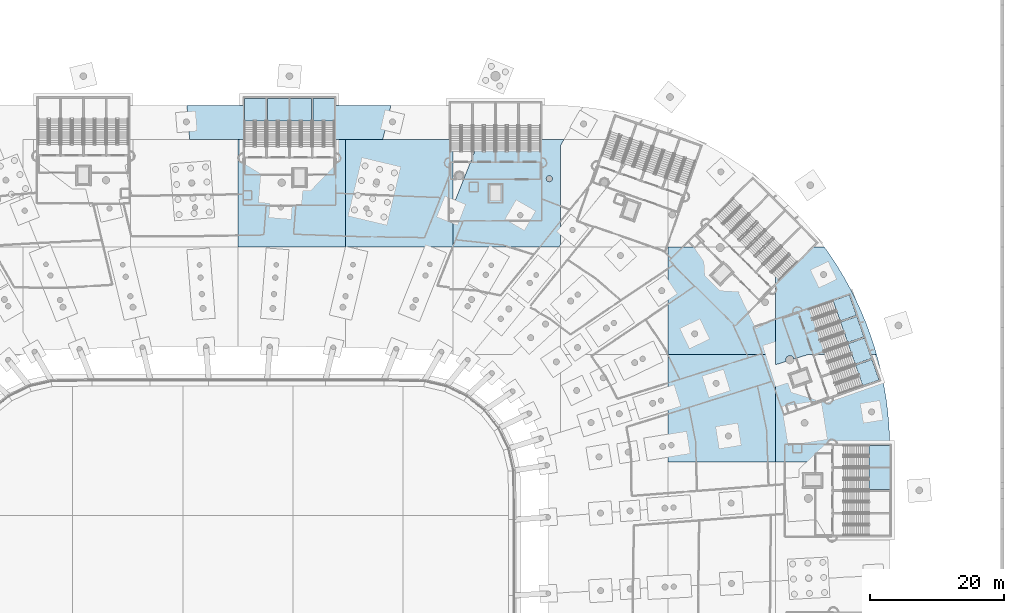
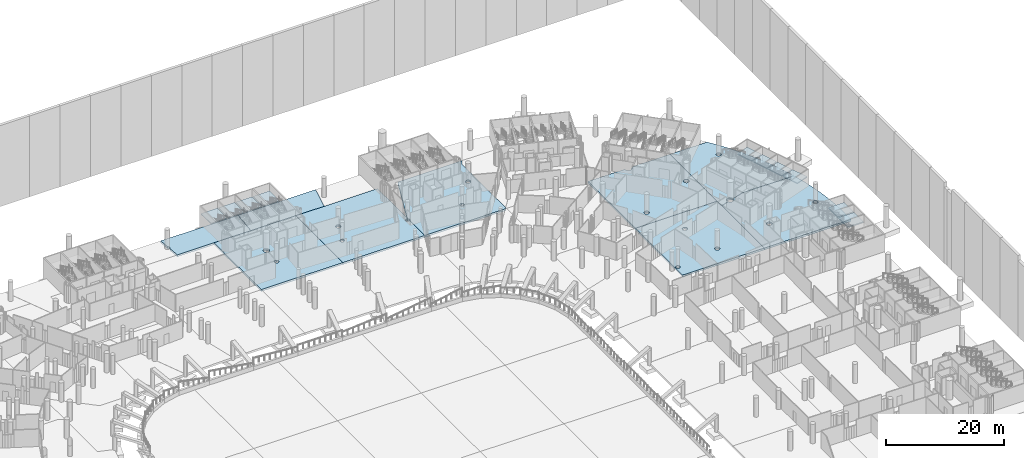
# One storey, part 33 of 142: 19 slabs, 10 elements without a shape of their own.
"""IFC4 building model written with IfcOpenShell, lengths in metres."""

from ifc_helpers import new_model, si_unit, direction, frame, origin, place, context, subcontext, project, spatial, polyline, outline, extrude, material, layer, layer_set, type_object, element, aggregate, save


model = new_model("IFC4")

# Units and contexts
model_context = context("Model", 3, precision=1e-05, world=origin(), true_north=direction((0.0, 1.0)))
body_context = subcontext(model_context, "Body", "Model", "MODEL_VIEW")
ifc_project = project(units=[si_unit("LENGTHUNIT", "METRE"), si_unit("AREAUNIT", "SQUARE_METRE"), si_unit("VOLUMEUNIT", "CUBIC_METRE"), si_unit("PLANEANGLEUNIT", "RADIAN"), si_unit("MASSUNIT", "GRAM", prefix="KILO")], contexts=[model_context])

# Site, building, storey
site_placement = place(None, origin())
site = spatial("IfcSite", under=ifc_project, at=site_placement, CompositionType="ELEMENT")
building_placement = place(site_placement, origin())
building = spatial("IfcBuilding", under=site, at=building_placement, Name="Meseta Stadium", CompositionType="ELEMENT")
storey_placement = place(building_placement, frame((0.0, 0.0, -4.0)))
storey = spatial("IfcBuildingStorey", under=building, at=storey_placement, Name="B1", CompositionType="ELEMENT", Elevation=-4.0)

# Slabs
ifc_material_1 = material(Name="Concrete C30/37", Category="concrete")
ifc_layer_1 = layer(ifc_material_1, 0.39990234375)
ifc_layer_set_1 = layer_set([ifc_layer_1], Name="Base slab 400")
slab_type_1 = type_object("IfcSlabType", Name="Base slab 400", PredefinedType="BASESLAB", material=ifc_layer_set_1)
slab_1_placement = place(storey_placement, frame((0.0, 0.0, -0.39990234375)))
element("IfcSlab", 1, at=slab_1_placement, inside=storey, type_object=slab_type_1, Name="Base slab B1 sector 07 panel 10", PredefinedType="BASESLAB", context=body_context, shape_type="SweptSolid", body=[
    extrude(outline(polyline([(71.4404296875, 79.3876953125), (71.34912109375, 79.462646484375), (71.274169921875, 79.553955078125), (71.218505859375, 79.658203125), (71.18408203125, 79.771240234375), (71.172607421875, 79.888916015625), (71.18359375, 80.0), (64.0, 80.0), (64.0, 64.0), (80.0, 64.0), (80.0, 80.0), (72.741455078125, 80.0), (72.357421875, 79.74072265625), (72.33251953125, 79.658203125), (72.276611328125, 79.553955078125), (72.20166015625, 79.462646484375), (72.1103515625, 79.3876953125), (72.006103515625, 79.331787109375), (71.89306640625, 79.297607421875), (71.775390625, 79.285888671875), (71.65771484375, 79.297607421875), (71.544677734375, 79.331787109375), (71.4404296875, 79.3876953125)]), holes=[polyline([(78.54345703125, 72.248779296875), (78.6376953125, 72.22021484375), (78.724609375, 72.173583984375), (78.80078125, 72.111083984375), (78.86328125, 72.03515625), (78.90966796875, 71.9482421875), (78.938232421875, 71.85400390625), (78.94775390625, 71.756103515625), (78.938232421875, 71.657958984375), (78.90966796875, 71.563720703125), (78.86328125, 71.476806640625), (78.80078125, 71.400634765625), (78.724609375, 71.338134765625), (78.6376953125, 71.291748046875), (78.54345703125, 71.26318359375), (78.4453125, 71.253662109375), (78.347412109375, 71.26318359375), (78.253173828125, 71.291748046875), (78.166259765625, 71.338134765625), (78.090087890625, 71.400634765625), (78.027587890625, 71.476806640625), (77.981201171875, 71.563720703125), (77.95263671875, 71.657958984375), (77.943115234375, 71.756103515625), (77.95263671875, 71.85400390625), (77.981201171875, 71.9482421875), (78.027587890625, 72.03515625), (78.090087890625, 72.111083984375), (78.166259765625, 72.173583984375), (78.253173828125, 72.22021484375), (78.347412109375, 72.248779296875), (78.4453125, 72.25830078125), (78.54345703125, 72.248779296875)]), polyline([(68.292236328125, 67.377685546875), (68.348388671875, 67.30908203125), (68.39013671875, 67.23095703125), (68.416015625, 67.14599609375), (68.424560546875, 67.057861328125), (68.416015625, 66.969482421875), (68.39013671875, 66.884765625), (68.348388671875, 66.806640625), (68.292236328125, 66.738037109375), (68.2236328125, 66.681884765625), (68.1455078125, 66.64013671875), (68.060546875, 66.614501953125), (67.972412109375, 66.605712890625), (67.88427734375, 66.614501953125), (67.79931640625, 66.64013671875), (67.72119140625, 66.681884765625), (67.652587890625, 66.738037109375), (67.596435546875, 66.806640625), (67.5546875, 66.884765625), (67.52880859375, 66.969482421875), (67.520263671875, 67.057861328125), (67.52880859375, 67.14599609375), (67.5546875, 67.23095703125), (67.596435546875, 67.30908203125), (67.652587890625, 67.377685546875), (67.72119140625, 67.433837890625), (67.79931640625, 67.4755859375), (67.88427734375, 67.501220703125), (67.972412109375, 67.510009765625), (68.060546875, 67.501220703125), (68.1455078125, 67.4755859375), (68.2236328125, 67.433837890625), (68.292236328125, 67.377685546875)])]), origin(), (0.0, 0.0, 1.0), 0.39990234375),
])
slab_2_placement = place(storey_placement, frame((0.0, 0.0, -0.39990234375)))
element("IfcSlab", 2, at=slab_2_placement, inside=storey, type_object=slab_type_1, Name="Base slab B1 sector 07 panel 11", PredefinedType="BASESLAB", context=body_context, shape_type="SweptSolid", body=[
    extrude(outline(polyline([(80.0, 48.0), (80.0, 64.0), (64.0, 64.0), (64.0, 48.0), (80.0, 48.0)]), holes=[polyline([(73.409912109375, 52.020263671875), (73.435791015625, 51.935302734375), (73.4443359375, 51.84716796875), (73.435791015625, 51.759033203125), (73.409912109375, 51.674072265625), (73.3681640625, 51.595947265625), (73.31201171875, 51.52734375), (73.243408203125, 51.47119140625), (73.165283203125, 51.429443359375), (73.080322265625, 51.40380859375), (72.9921875, 51.39501953125), (72.904052734375, 51.40380859375), (72.819091796875, 51.429443359375), (72.740966796875, 51.47119140625), (72.672607421875, 51.52734375), (72.6162109375, 51.595947265625), (72.574462890625, 51.674072265625), (72.548583984375, 51.759033203125), (72.5400390625, 51.84716796875), (72.548583984375, 51.935302734375), (72.574462890625, 52.020263671875), (72.6162109375, 52.098388671875), (72.672607421875, 52.1669921875), (72.740966796875, 52.22314453125), (72.819091796875, 52.264892578125), (72.904052734375, 52.290771484375), (72.9921875, 52.29931640625), (73.080322265625, 52.290771484375), (73.165283203125, 52.264892578125), (73.243408203125, 52.22314453125), (73.31201171875, 52.1669921875), (73.3681640625, 52.098388671875), (73.409912109375, 52.020263671875)]), polyline([(64.873046875, 50.633544921875), (64.895751953125, 50.55810546875), (64.903564453125, 50.479736328125), (64.895751953125, 50.4013671875), (64.873046875, 50.325927734375), (64.835693359375, 50.25634765625), (64.785888671875, 50.195556640625), (64.724853515625, 50.1455078125), (64.655517578125, 50.1083984375), (64.580078125, 50.08544921875), (64.501708984375, 50.077880859375), (64.423095703125, 50.08544921875), (64.347900390625, 50.1083984375), (64.2783203125, 50.1455078125), (64.21728515625, 50.195556640625), (64.16748046875, 50.25634765625), (64.13037109375, 50.325927734375), (64.107421875, 50.4013671875), (64.099609375, 50.479736328125), (64.107421875, 50.55810546875), (64.13037109375, 50.633544921875), (64.16748046875, 50.702880859375), (64.21728515625, 50.763916015625), (64.2783203125, 50.81396484375), (64.347900390625, 50.85107421875), (64.423095703125, 50.873779296875), (64.501708984375, 50.881591796875), (64.580078125, 50.873779296875), (64.655517578125, 50.85107421875), (64.724853515625, 50.81396484375), (64.785888671875, 50.763916015625), (64.835693359375, 50.702880859375), (64.873046875, 50.633544921875)]), polyline([(71.2578125, 60.120849609375), (71.3427734375, 60.094970703125), (71.4208984375, 60.05322265625), (71.489501953125, 59.9970703125), (71.545654296875, 59.928466796875), (71.58740234375, 59.850341796875), (71.61328125, 59.765380859375), (71.621826171875, 59.67724609375), (71.61328125, 59.589111328125), (71.58740234375, 59.504150390625), (71.545654296875, 59.426025390625), (71.489501953125, 59.357421875), (71.4208984375, 59.30126953125), (71.3427734375, 59.259521484375), (71.2578125, 59.23388671875), (71.169677734375, 59.22509765625), (71.08154296875, 59.23388671875), (70.99658203125, 59.259521484375), (70.91845703125, 59.30126953125), (70.85009765625, 59.357421875), (70.793701171875, 59.426025390625), (70.751953125, 59.504150390625), (70.726318359375, 59.589111328125), (70.717529296875, 59.67724609375), (70.726318359375, 59.765380859375), (70.751953125, 59.850341796875), (70.793701171875, 59.928466796875), (70.85009765625, 59.9970703125), (70.91845703125, 60.05322265625), (70.99658203125, 60.094970703125), (71.08154296875, 60.120849609375), (71.169677734375, 60.12939453125), (71.2578125, 60.120849609375)])]), origin(), (0.0, 0.0, 1.0), 0.39990234375),
])
slab_3_placement = place(storey_placement, frame((0.0, 0.0, -0.39990234375)))
element("IfcSlab", 3, at=slab_3_placement, inside=storey, type_object=slab_type_1, Name="Base slab B1 sector 07 panel 13", PredefinedType="BASESLAB", context=body_context, shape_type="SweptSolid", body=[
    extrude(outline(polyline([(82.119873046875, 63.794189453125), (82.2373046875, 63.782470703125), (82.3505859375, 63.748291015625), (82.454833984375, 63.6923828125), (82.546142578125, 63.617431640625), (82.62109375, 63.526123046875), (82.6767578125, 63.421875), (82.711181640625, 63.308837890625), (82.71240234375, 63.296142578125), (84.95703125, 64.0), (95.03173828125, 64.0), (94.728759765625, 65.051025390625), (94.127685546875, 66.875244140625), (93.458740234375, 68.67578125), (92.722412109375, 70.44970703125), (91.920166015625, 72.19482421875), (91.052978515625, 73.908447265625), (90.121826171875, 75.58837890625), (89.12841796875, 77.232421875), (88.073974609375, 78.837646484375), (87.246337890625, 80.0), (80.0, 80.0), (80.0, 62.44580078125), (81.57421875, 62.939453125), (81.562744140625, 62.96044921875), (81.528564453125, 63.073486328125), (81.516845703125, 63.191162109375), (81.528564453125, 63.308837890625), (81.562744140625, 63.421875), (81.618408203125, 63.526123046875), (81.693603515625, 63.617431640625), (81.784912109375, 63.6923828125), (81.88916015625, 63.748291015625), (82.002197265625, 63.782470703125), (82.119873046875, 63.794189453125)]), holes=[polyline([(86.707275390625, 75.945068359375), (86.73291015625, 76.02978515625), (86.77490234375, 76.10791015625), (86.8310546875, 76.176513671875), (86.899658203125, 76.232666015625), (86.977783203125, 76.2744140625), (87.0625, 76.30029296875), (87.15087890625, 76.308837890625), (87.239013671875, 76.30029296875), (87.32373046875, 76.2744140625), (87.402099609375, 76.232666015625), (87.470458984375, 76.176513671875), (87.52685546875, 76.10791015625), (87.568603515625, 76.02978515625), (87.59423828125, 75.945068359375), (87.60302734375, 75.856689453125), (87.59423828125, 75.7685546875), (87.568603515625, 75.68359375), (87.52685546875, 75.60546875), (87.470458984375, 75.537109375), (87.402099609375, 75.480712890625), (87.32373046875, 75.43896484375), (87.239013671875, 75.413330078125), (87.15087890625, 75.404541015625), (87.0625, 75.413330078125), (86.977783203125, 75.43896484375), (86.899658203125, 75.480712890625), (86.8310546875, 75.537109375), (86.77490234375, 75.60546875), (86.73291015625, 75.68359375), (86.707275390625, 75.7685546875), (86.698486328125, 75.856689453125), (86.707275390625, 75.945068359375)])]), origin(), (0.0, 0.0, 1.0), 0.39990234375),
])
slab_4_placement = place(storey_placement, frame((0.0, 0.0, -0.39990234375)))
element("IfcSlab", 4, at=slab_4_placement, inside=storey, type_object=slab_type_1, Name="Base slab B1 sector 07 panel 14", PredefinedType="BASESLAB", context=body_context, shape_type="SweptSolid", body=[
    extrude(outline(polyline([(81.618408203125, 62.856201171875), (81.57421875, 62.939453125), (80.0, 62.44580078125), (80.0, 48.0), (97.00341796875, 48.0), (97.00390625, 49.91259765625), (96.969970703125, 51.8330078125), (96.86376953125, 53.750732421875), (96.685791015625, 55.6630859375), (96.43603515625, 57.5673828125), (96.114990234375, 59.461181640625), (95.722900390625, 61.34130859375), (95.2607421875, 63.20556640625), (95.03173828125, 64.0), (84.956787109375, 64.0), (82.71240234375, 63.296142578125), (82.72265625, 63.191162109375), (82.711181640625, 63.073486328125), (82.6767578125, 62.96044921875), (82.62109375, 62.856201171875), (82.546142578125, 62.764892578125), (82.454833984375, 62.68994140625), (82.3505859375, 62.63427734375), (82.2373046875, 62.599853515625), (82.119873046875, 62.58837890625), (82.002197265625, 62.599853515625), (81.88916015625, 62.63427734375), (81.784912109375, 62.68994140625), (81.693603515625, 62.764892578125), (81.618408203125, 62.856201171875)]), holes=[polyline([(94.545654296875, 55.8173828125), (94.6142578125, 55.76123046875), (94.67041015625, 55.692626953125), (94.712158203125, 55.614501953125), (94.73779296875, 55.52978515625), (94.74658203125, 55.44140625), (94.73681640625, 55.34912109375), (94.712158203125, 55.268310546875), (94.67041015625, 55.190185546875), (94.6142578125, 55.12158203125), (94.545654296875, 55.0654296875), (94.467529296875, 55.023681640625), (94.382568359375, 54.998046875), (94.29443359375, 54.9892578125), (94.206298828125, 54.998046875), (94.121337890625, 55.023681640625), (94.043212890625, 55.0654296875), (93.974609375, 55.12158203125), (93.91845703125, 55.190185546875), (93.876708984375, 55.268310546875), (93.850830078125, 55.353271484375), (93.84228515625, 55.44140625), (93.850830078125, 55.52978515625), (93.876708984375, 55.614501953125), (93.91845703125, 55.692626953125), (93.974609375, 55.76123046875), (94.043212890625, 55.8173828125), (94.121337890625, 55.859130859375), (94.206298828125, 55.885009765625), (94.29443359375, 55.893798828125), (94.382568359375, 55.885009765625), (94.467529296875, 55.859130859375), (94.545654296875, 55.8173828125)]), polyline([(84.604248046875, 54.21923828125), (84.680419921875, 54.15673828125), (84.742919921875, 54.080810546875), (84.789306640625, 53.993896484375), (84.818115234375, 53.899658203125), (84.82763671875, 53.801513671875), (84.818115234375, 53.70361328125), (84.789306640625, 53.609375), (84.742919921875, 53.5224609375), (84.680419921875, 53.4462890625), (84.604248046875, 53.3837890625), (84.517578125, 53.33740234375), (84.423095703125, 53.308837890625), (84.3251953125, 53.299072265625), (84.227294921875, 53.308837890625), (84.1328125, 53.33740234375), (84.046142578125, 53.3837890625), (83.969970703125, 53.4462890625), (83.907470703125, 53.5224609375), (83.861083984375, 53.609375), (83.83251953125, 53.70361328125), (83.82275390625, 53.801513671875), (83.83251953125, 53.899658203125), (83.861083984375, 53.993896484375), (83.907470703125, 54.080810546875), (83.969970703125, 54.15673828125), (84.046142578125, 54.21923828125), (84.1328125, 54.265625), (84.227294921875, 54.294189453125), (84.3251953125, 54.303955078125), (84.423095703125, 54.294189453125), (84.517578125, 54.265625), (84.604248046875, 54.21923828125)])]), origin(), (0.0, 0.0, 1.0), 0.39990234375),
])
slab_5_placement = place(storey_placement, frame((0.0, 0.0, -0.39990234375)))
element("IfcSlab", 5, at=slab_5_placement, inside=storey, type_object=slab_type_1, Name="Base slab B1 sector 14 panel 07", PredefinedType="BASESLAB", context=body_context, shape_type="SweptSolid", body=[
    extrude(outline(polyline([(-7.3701171875, 98.261474609375), (-7.1904296875, 96.0), (7.1904296875, 96.0), (7.58740234375, 101.003173828125), (0.0, 101.0), (-7.58740234375, 101.003173828125), (-7.42724609375, 98.982177734375), (-7.41552734375, 98.97607421875), (-7.346923828125, 98.919677734375), (-7.290771484375, 98.851318359375), (-7.248779296875, 98.77294921875), (-7.22314453125, 98.688232421875), (-7.214599609375, 98.60009765625), (-7.22314453125, 98.51171875), (-7.248779296875, 98.427001953125), (-7.290771484375, 98.348876953125), (-7.346923828125, 98.2802734375), (-7.3701171875, 98.261474609375)])), origin(), (0.0, 0.0, 1.0), 0.39990234375),
])
slab_6_placement = place(storey_placement, frame((0.0, 0.0, -0.39990234375)))
element("IfcSlab", 6, at=slab_6_placement, inside=storey, type_object=slab_type_1, Name="Base slab B1 sector 14 panel 08", PredefinedType="BASESLAB", context=body_context, shape_type="SweptSolid", body=[
    extrude(outline(polyline([(0.0, 96.0), (0.0, 80.0), (16.0, 80.0), (16.0, 96.0), (0.0, 96.0)]), holes=[polyline([(6.163818359375, 86.2109375), (6.233154296875, 86.248046875), (6.30859375, 86.27099609375), (6.386962890625, 86.27880859375), (6.465576171875, 86.27099609375), (6.541015625, 86.248046875), (6.6103515625, 86.2109375), (6.67138671875, 86.160888671875), (6.72119140625, 86.10009765625), (6.75830078125, 86.030517578125), (6.78125, 85.955078125), (6.7890625, 85.876708984375), (6.78125, 85.79833984375), (6.75830078125, 85.722900390625), (6.72119140625, 85.6533203125), (6.67138671875, 85.592529296875), (6.6103515625, 85.54248046875), (6.541015625, 85.50537109375), (6.465576171875, 85.482421875), (6.386962890625, 85.474853515625), (6.30859375, 85.482421875), (6.233154296875, 85.50537109375), (6.163818359375, 85.54248046875), (6.102783203125, 85.592529296875), (6.052734375, 85.6533203125), (6.015625, 85.722900390625), (5.992919921875, 85.79833984375), (5.985107421875, 85.876708984375), (5.992919921875, 85.955078125), (6.015625, 86.030517578125), (6.052734375, 86.10009765625), (6.102783203125, 86.160888671875), (6.163818359375, 86.2109375)]), polyline([(6.51708984375, 90.09912109375), (6.624755859375, 90.08837890625), (6.728515625, 90.056884765625), (6.823974609375, 90.005859375), (6.90771484375, 89.937255859375), (6.9765625, 89.853515625), (7.027587890625, 89.7578125), (7.05908203125, 89.654296875), (7.069580078125, 89.54638671875), (7.05908203125, 89.438720703125), (7.027587890625, 89.3349609375), (6.9765625, 89.239501953125), (6.90771484375, 89.155517578125), (6.823974609375, 89.0869140625), (6.728515625, 89.035888671875), (6.624755859375, 89.00439453125), (6.51708984375, 88.993896484375), (6.4091796875, 89.00439453125), (6.305419921875, 89.035888671875), (6.2099609375, 89.0869140625), (6.126220703125, 89.155517578125), (6.0576171875, 89.239501953125), (6.00634765625, 89.3349609375), (5.974853515625, 89.438720703125), (5.96435546875, 89.54638671875), (5.974853515625, 89.654296875), (6.00634765625, 89.7578125), (6.0576171875, 89.853515625), (6.126220703125, 89.937255859375), (6.2099609375, 90.005859375), (6.305419921875, 90.056884765625), (6.4091796875, 90.08837890625), (6.51708984375, 90.09912109375)])]), origin(), (0.0, 0.0, 1.0), 0.39990234375),
])
slab_7_placement = place(storey_placement, frame((0.0, 0.0, -0.39990234375)))
element("IfcSlab", 7, at=slab_7_placement, inside=storey, type_object=slab_type_1, Name="Base slab B1 sector 14 panel 10", PredefinedType="BASESLAB", context=body_context, shape_type="SweptSolid", body=[
    extrude(outline(polyline([(22.768310546875, 101.027099609375), (16.0, 101.013916015625), (12.646484375, 101.008544921875), (7.587646484375, 101.003173828125), (7.1904296875, 96.0), (21.5712890625, 96.0), (22.768310546875, 101.027099609375)])), origin(), (0.0, 0.0, 1.0), 0.39990234375),
])
slab_8_placement = place(storey_placement, frame((0.0, 0.0, -0.39990234375)))
element("IfcSlab", 8, at=slab_8_placement, inside=storey, type_object=slab_type_1, Name="Base slab B1 sector 14 panel 11", PredefinedType="BASESLAB", context=body_context, shape_type="SweptSolid", body=[
    extrude(outline(polyline([(31.890625, 85.748291015625), (31.960205078125, 85.7109375), (32.0, 85.67822265625), (32.0, 96.0), (16.0, 96.0), (16.0, 80.0), (32.0, 80.0), (32.0, 85.075439453125), (31.960205078125, 85.04248046875), (31.890625, 85.005615234375), (31.815185546875, 84.982666015625), (31.73681640625, 84.974853515625), (31.658447265625, 84.982666015625), (31.5830078125, 85.005615234375), (31.513427734375, 85.04248046875), (31.45263671875, 85.092529296875), (31.402587890625, 85.153564453125), (31.365478515625, 85.222900390625), (31.342529296875, 85.29833984375), (31.3349609375, 85.376708984375), (31.342529296875, 85.455078125), (31.365478515625, 85.530517578125), (31.402587890625, 85.60009765625), (31.45263671875, 85.660888671875), (31.513427734375, 85.7109375), (31.5830078125, 85.748291015625), (31.658447265625, 85.77099609375), (31.73681640625, 85.77880859375), (31.815185546875, 85.77099609375), (31.890625, 85.748291015625)]), holes=[polyline([(18.747314453125, 85.85205078125), (18.784423828125, 85.92138671875), (18.83447265625, 85.982421875), (18.895263671875, 86.032470703125), (18.96484375, 86.069580078125), (19.040283203125, 86.09228515625), (19.11865234375, 86.10009765625), (19.197021484375, 86.09228515625), (19.2724609375, 86.069580078125), (19.341796875, 86.032470703125), (19.40283203125, 85.982421875), (19.452880859375, 85.92138671875), (19.489990234375, 85.85205078125), (19.5126953125, 85.776611328125), (19.5205078125, 85.6982421875), (19.5126953125, 85.619873046875), (19.489990234375, 85.54443359375), (19.452880859375, 85.474853515625), (19.40283203125, 85.4140625), (19.341796875, 85.364013671875), (19.2724609375, 85.326904296875), (19.197021484375, 85.303955078125), (19.11865234375, 85.29638671875), (19.040283203125, 85.303955078125), (18.96484375, 85.326904296875), (18.895263671875, 85.364013671875), (18.83447265625, 85.4140625), (18.784423828125, 85.474853515625), (18.747314453125, 85.54443359375), (18.724365234375, 85.619873046875), (18.716796875, 85.6982421875), (18.724365234375, 85.776611328125), (18.747314453125, 85.85205078125)]), polyline([(21.101806640625, 89.65625), (21.093017578125, 89.568115234375), (21.0673828125, 89.483154296875), (21.025390625, 89.405029296875), (20.96923828125, 89.336669921875), (20.90087890625, 89.2802734375), (20.822509765625, 89.238525390625), (20.73779296875, 89.212890625), (20.649658203125, 89.2041015625), (20.561279296875, 89.212890625), (20.4765625, 89.238525390625), (20.398193359375, 89.2802734375), (20.329833984375, 89.336669921875), (20.273681640625, 89.405029296875), (20.231689453125, 89.483154296875), (20.2060546875, 89.568115234375), (20.197509765625, 89.65625), (20.2060546875, 89.744384765625), (20.231689453125, 89.829345703125), (20.273681640625, 89.907470703125), (20.329833984375, 89.97607421875), (20.398193359375, 90.0322265625), (20.4765625, 90.073974609375), (20.561279296875, 90.099853515625), (20.649658203125, 90.1083984375), (20.73779296875, 90.099853515625), (20.822509765625, 90.073974609375), (20.90087890625, 90.0322265625), (20.96923828125, 89.97607421875), (21.025390625, 89.907470703125), (21.0673828125, 89.829345703125), (21.093017578125, 89.744384765625), (21.101806640625, 89.65625)])]), origin(), (0.0, 0.0, 1.0), 0.39990234375),
])
slab_9_placement = place(storey_placement, frame((0.0, 0.0, -0.39990234375)))
element("IfcSlab", 9, at=slab_9_placement, inside=storey, type_object=slab_type_1, Name="Base slab B1 sector 14 panel 15", PredefinedType="BASESLAB", context=body_context, shape_type="SweptSolid", body=[
    extrude(outline(polyline([(32.071044921875, 85.153564453125), (32.02099609375, 85.092529296875), (32.0, 85.075439453125), (32.0, 80.0), (47.76171875, 80.0), (48.0, 80.29541015625), (48.0, 95.060546875), (48.54296875, 96.0), (35.952392578125, 96.0), (32.0, 86.0400390625), (32.0, 85.67822265625), (32.02099609375, 85.660888671875), (32.071044921875, 85.60009765625), (32.108154296875, 85.530517578125), (32.131103515625, 85.455078125), (32.138916015625, 85.376708984375), (32.131103515625, 85.29833984375), (32.108154296875, 85.222900390625), (32.071044921875, 85.153564453125)]), holes=[polyline([(41.792236328125, 85.04150390625), (41.86181640625, 85.07861328125), (41.93701171875, 85.1015625), (42.015380859375, 85.109375), (42.093994140625, 85.1015625), (42.169189453125, 85.07861328125), (42.23876953125, 85.04150390625), (42.2998046875, 84.99169921875), (42.349609375, 84.9306640625), (42.386962890625, 84.861083984375), (42.40966796875, 84.785888671875), (42.41748046875, 84.707275390625), (42.40966796875, 84.62890625), (42.386962890625, 84.553466796875), (42.349609375, 84.48388671875), (42.2998046875, 84.423095703125), (42.23876953125, 84.373046875), (42.169189453125, 84.3359375), (42.093994140625, 84.31298828125), (42.015380859375, 84.305419921875), (41.93701171875, 84.31298828125), (41.86181640625, 84.3359375), (41.792236328125, 84.373046875), (41.731201171875, 84.423095703125), (41.681396484375, 84.48388671875), (41.644287109375, 84.553466796875), (41.621337890625, 84.62890625), (41.613525390625, 84.707275390625), (41.621337890625, 84.785888671875), (41.644287109375, 84.861083984375), (41.681396484375, 84.9306640625), (41.731201171875, 84.99169921875), (41.792236328125, 85.04150390625)]), polyline([(46.7509765625, 89.953125), (46.708984375, 89.875), (46.65283203125, 89.806396484375), (46.58447265625, 89.750244140625), (46.506103515625, 89.70849609375), (46.42138671875, 89.6826171875), (46.333251953125, 89.674072265625), (46.244873046875, 89.6826171875), (46.16015625, 89.70849609375), (46.081787109375, 89.750244140625), (46.013427734375, 89.806396484375), (45.957275390625, 89.875), (45.915283203125, 89.953125), (45.8896484375, 90.0380859375), (45.881103515625, 90.126220703125), (45.8896484375, 90.214599609375), (45.915283203125, 90.29931640625), (45.957275390625, 90.37744140625), (46.013427734375, 90.446044921875), (46.081787109375, 90.502197265625), (46.16015625, 90.5439453125), (46.244873046875, 90.569580078125), (46.333251953125, 90.578369140625), (46.42138671875, 90.569580078125), (46.506103515625, 90.5439453125), (46.58447265625, 90.502197265625), (46.65283203125, 90.446044921875), (46.708984375, 90.37744140625), (46.7509765625, 90.29931640625), (46.776611328125, 90.214599609375), (46.785400390625, 90.126220703125), (46.776611328125, 90.0380859375), (46.7509765625, 89.953125)])]), origin(), (0.0, 0.0, 1.0), 0.39990234375),
])

# Stair, slab
ifc_material_2 = material(Name="Concrete C40/50", Category="concrete")
stair_type = type_object("IfcStairType", Name="Exit stair 2 flights 154 mm risers", PredefinedType="HALF_TURN_STAIR", material=ifc_material_2)
stair_1_placement = place(storey_placement, origin())
stair_1 = element("IfcStair", 10, at=stair_1_placement, inside=storey, type_object=stair_type, Name="ST19 B1", PredefinedType="HALF_TURN_STAIR")
ifc_material_3 = material(Name="Concrete C40/50", Category="concrete")
ifc_layer_2 = layer(ifc_material_3, 0.199951171875)
ifc_layer_set_2 = layer_set([ifc_layer_2], Name="Stair landing 200")
slab_type_2 = type_object("IfcSlabType", Name="Stair landing 200", PredefinedType="LANDING", material=ifc_layer_set_2)
slab_10_placement = place(storey_placement, frame((0.0, 0.0, 1.800048828125)))
slab_10 = element("IfcSlab", 11, at=slab_10_placement, type_object=slab_type_2, Name="ST19 B1 landing 1", PredefinedType="LANDING", context=body_context, shape_type="SweptSolid", body=[
    extrude(outline(polyline([(93.929931640625, 43.85009765625), (97.0, 43.85009765625), (97.0, 47.050048828125), (93.929931640625, 47.050048828125), (93.929931640625, 43.85009765625)])), origin(), (0.0, 0.0, 1.0), 0.199951171875),
])
aggregate(stair_1, [slab_10])

stair_2_placement = place(storey_placement, origin())
stair_2 = element("IfcStair", 12, at=stair_2_placement, inside=storey, type_object=stair_type, Name="ST20 B1", PredefinedType="HALF_TURN_STAIR")
slab_11_placement = place(storey_placement, frame((0.0, 0.0, 1.800048828125)))
slab_11 = element("IfcSlab", 13, at=slab_11_placement, type_object=slab_type_2, Name="ST20 B1 landing 1", PredefinedType="LANDING", context=body_context, shape_type="SweptSolid", body=[
    extrude(outline(polyline([(93.929931640625, 47.25), (97.0, 47.25), (97.0, 50.449951171875), (93.929931640625, 50.449951171875), (93.929931640625, 47.25)])), origin(), (0.0, 0.0, 1.0), 0.199951171875),
])
aggregate(stair_2, [slab_11])

stair_3_placement = place(storey_placement, origin())
stair_3 = element("IfcStair", 14, at=stair_3_placement, inside=storey, type_object=stair_type, Name="ST21 B1", PredefinedType="HALF_TURN_STAIR")
slab_12_placement = place(storey_placement, frame((0.0, 0.0, 1.800048828125)))
slab_12 = element("IfcSlab", 15, at=slab_12_placement, type_object=slab_type_2, Name="ST21 B1 landing 1", PredefinedType="LANDING", context=body_context, shape_type="SweptSolid", body=[
    extrude(outline(polyline([(92.981201171875, 59.341064453125), (95.406982421875, 60.18994140625), (94.35009765625, 63.21044921875), (91.92431640625, 62.361572265625), (92.981201171875, 59.341064453125)])), origin(), (0.0, 0.0, 1.0), 0.199951171875),
])
aggregate(stair_3, [slab_12])

stair_4_placement = place(storey_placement, origin())
stair_4 = element("IfcStair", 16, at=stair_4_placement, inside=storey, type_object=stair_type, Name="ST22 B1", PredefinedType="HALF_TURN_STAIR")
slab_13_placement = place(storey_placement, frame((0.0, 0.0, 1.800048828125)))
slab_13 = element("IfcSlab", 17, at=slab_13_placement, type_object=slab_type_2, Name="ST22 B1 landing 1", PredefinedType="LANDING", context=body_context, shape_type="SweptSolid", body=[
    extrude(outline(polyline([(91.8583984375, 62.55029296875), (94.2841796875, 63.399169921875), (93.227294921875, 66.419677734375), (90.801513671875, 65.57080078125), (91.8583984375, 62.55029296875)])), origin(), (0.0, 0.0, 1.0), 0.199951171875),
])
aggregate(stair_4, [slab_13])

stair_5_placement = place(storey_placement, origin())
stair_5 = element("IfcStair", 18, at=stair_5_placement, inside=storey, type_object=stair_type, Name="ST23 B1", PredefinedType="HALF_TURN_STAIR")
slab_14_placement = place(storey_placement, frame((0.0, 0.0, 1.800048828125)))
slab_14 = element("IfcSlab", 19, at=slab_14_placement, type_object=slab_type_2, Name="ST23 B1 landing 1", PredefinedType="LANDING", context=body_context, shape_type="SweptSolid", body=[
    extrude(outline(polyline([(90.7353515625, 65.759521484375), (93.1611328125, 66.6083984375), (92.104248046875, 69.628662109375), (89.678466796875, 68.780029296875), (90.7353515625, 65.759521484375)])), origin(), (0.0, 0.0, 1.0), 0.199951171875),
])
aggregate(stair_5, [slab_14])

stair_6_placement = place(storey_placement, origin())
stair_6 = element("IfcStair", 20, at=stair_6_placement, inside=storey, type_object=stair_type, Name="ST24 B1", PredefinedType="HALF_TURN_STAIR")
slab_15_placement = place(storey_placement, frame((0.0, 0.0, 1.800048828125)))
slab_15 = element("IfcSlab", 21, at=slab_15_placement, type_object=slab_type_2, Name="ST24 B1 landing 1", PredefinedType="LANDING", context=body_context, shape_type="SweptSolid", body=[
    extrude(outline(polyline([(89.6123046875, 68.96875), (92.0380859375, 69.817626953125), (90.981201171875, 72.837890625), (88.555419921875, 71.9892578125), (89.6123046875, 68.96875)])), origin(), (0.0, 0.0, 1.0), 0.199951171875),
])
aggregate(stair_6, [slab_15])

stair_7_placement = place(storey_placement, origin())
stair_7 = element("IfcStair", 22, at=stair_7_placement, inside=storey, type_object=stair_type, Name="ST37 B1", PredefinedType="HALF_TURN_STAIR")
slab_16_placement = place(storey_placement, frame((0.0, 0.0, 1.800048828125)))
slab_16 = element("IfcSlab", 23, at=slab_16_placement, type_object=slab_type_2, Name="ST37 B1 landing 1", PredefinedType="LANDING", context=body_context, shape_type="SweptSolid", body=[
    extrude(outline(polyline([(14.36669921875, 98.72998046875), (14.36669921875, 102.10009765625), (11.166748046875, 102.10009765625), (11.166748046875, 98.72998046875), (14.36669921875, 98.72998046875)])), origin(), (0.0, 0.0, 1.0), 0.199951171875),
])
aggregate(stair_7, [slab_16])

stair_8_placement = place(storey_placement, origin())
stair_8 = element("IfcStair", 24, at=stair_8_placement, inside=storey, type_object=stair_type, Name="ST38 B1", PredefinedType="HALF_TURN_STAIR")
slab_17_placement = place(storey_placement, frame((0.0, 0.0, 1.800048828125)))
slab_17 = element("IfcSlab", 25, at=slab_17_placement, type_object=slab_type_2, Name="ST38 B1 landing 1", PredefinedType="LANDING", context=body_context, shape_type="SweptSolid", body=[
    extrude(outline(polyline([(10.966552734375, 98.72998046875), (10.966552734375, 102.10009765625), (7.7666015625, 102.10009765625), (7.7666015625, 98.72998046875), (10.966552734375, 98.72998046875)])), origin(), (0.0, 0.0, 1.0), 0.199951171875),
])
aggregate(stair_8, [slab_17])

stair_9_placement = place(storey_placement, origin())
stair_9 = element("IfcStair", 26, at=stair_9_placement, inside=storey, type_object=stair_type, Name="ST39 B1", PredefinedType="HALF_TURN_STAIR")
slab_18_placement = place(storey_placement, frame((0.0, 0.0, 1.800048828125)))
slab_18 = element("IfcSlab", 27, at=slab_18_placement, type_object=slab_type_2, Name="ST39 B1 landing 1", PredefinedType="LANDING", context=body_context, shape_type="SweptSolid", body=[
    extrude(outline(polyline([(7.566650390625, 98.72998046875), (7.566650390625, 102.10009765625), (4.36669921875, 102.10009765625), (4.36669921875, 98.72998046875), (7.566650390625, 98.72998046875)])), origin(), (0.0, 0.0, 1.0), 0.199951171875),
])
aggregate(stair_9, [slab_18])

stair_10_placement = place(storey_placement, origin())
stair_10 = element("IfcStair", 28, at=stair_10_placement, inside=storey, type_object=stair_type, Name="ST40 B1", PredefinedType="HALF_TURN_STAIR")
slab_19_placement = place(storey_placement, frame((0.0, 0.0, 1.800048828125)))
slab_19 = element("IfcSlab", 29, at=slab_19_placement, type_object=slab_type_2, Name="ST40 B1 landing 1", PredefinedType="LANDING", context=body_context, shape_type="SweptSolid", body=[
    extrude(outline(polyline([(4.166748046875, 98.72998046875), (4.166748046875, 102.10009765625), (0.966552734375, 102.10009765625), (0.966552734375, 98.72998046875), (4.166748046875, 98.72998046875)])), origin(), (0.0, 0.0, 1.0), 0.199951171875),
])
aggregate(stair_10, [slab_19])

save(model, "model.ifc")
